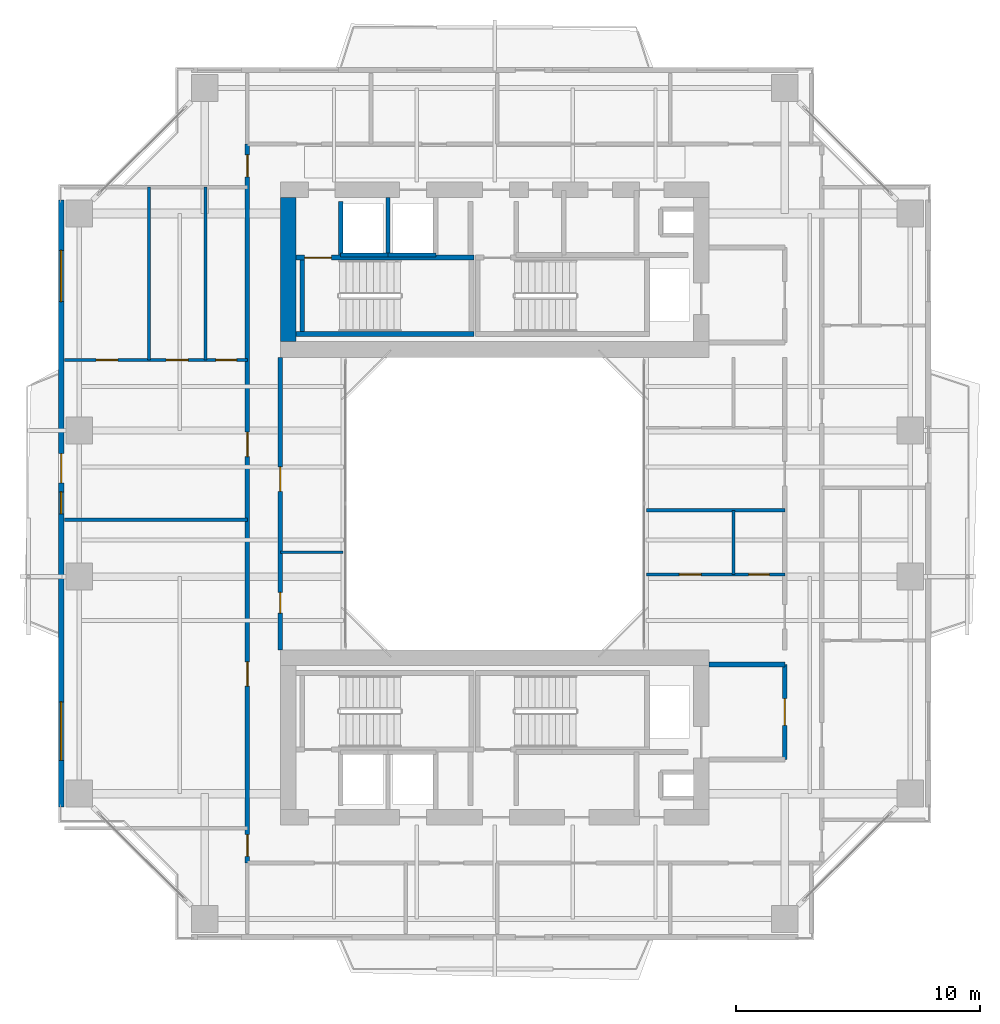
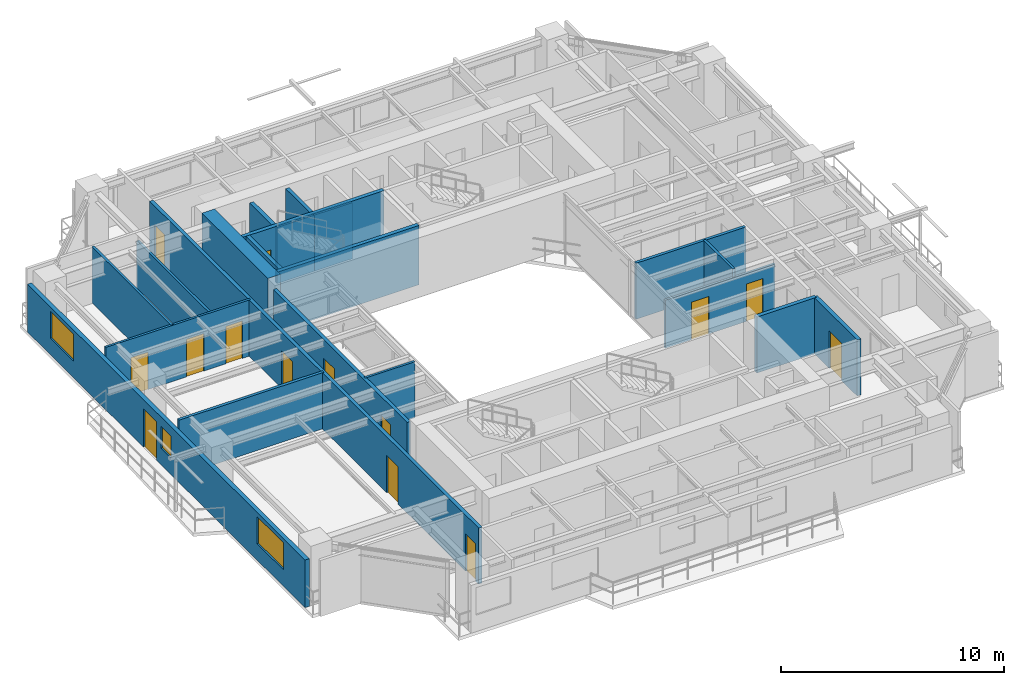
# One storey, part 11 of 17: 21 walls, 14 doors, 3 windows, 17 openings.
"""IFC4 building model written with IfcOpenShell, lengths in metres."""

from ifc_helpers import new_model, si_unit, direction, frame, frame_2d, origin, place, context, subcontext, project, spatial, rectangle, extrude, source, transform, mapped, material, layer, layer_set, type_object, element, fill, save


model = new_model("IFC4")

# Units and contexts
model_context = context("Model", 3, precision=1e-05, world=origin(), true_north=direction((0.0, 1.0)))
body_context = subcontext(model_context, "Body", "Model", "MODEL_VIEW")
ifc_project = project(units=[si_unit("LENGTHUNIT", "METRE"), si_unit("AREAUNIT", "SQUARE_METRE"), si_unit("VOLUMEUNIT", "CUBIC_METRE"), si_unit("PLANEANGLEUNIT", "RADIAN"), si_unit("MASSUNIT", "GRAM", prefix="KILO"), si_unit("THERMODYNAMICTEMPERATUREUNIT", "KELVIN"), si_unit("POWERUNIT", "WATT")], contexts=[model_context])

# Site, building, storey
site_placement = place(None, origin())
site = spatial("IfcSite", under=ifc_project, at=site_placement, CompositionType="ELEMENT")
building_placement = place(site_placement, origin())
building = spatial("IfcBuilding", under=site, at=building_placement, Name="Qiaomeng Ring Towers", CompositionType="ELEMENT")
storey_placement = place(building_placement, frame((0.0, 0.0, 116.5)))
storey = spatial("IfcBuildingStorey", under=building, at=storey_placement, Name="L33", CompositionType="ELEMENT", Elevation=116.5)

# Wall, openings, windows, door
ifc_material_1 = material(Name="Precast concrete C40", Category="concrete")
ifc_layer_1 = layer(ifc_material_1, 0.219970703125, Name="Precast concrete C40")
ifc_layer_set_1 = layer_set([ifc_layer_1], Name="Precast concrete C40")
wall_type_1 = type_object("IfcWallType", Name="ARC-WL-EW2", PredefinedType="STANDARD", material=ifc_layer_set_1)
wall_1_placement = place(storey_placement, frame((1.2099609375, 10.550048828125, 0.0), z_axis=(0.0, 0.0, 1.0), x_axis=(0.0, 1.0, 0.0)))
wall_1 = element("IfcWall", 1, at=wall_1_placement, inside=storey, type_object=wall_type_1, Name="L33 Tower 1 W Exterior Wall", PredefinedType="STANDARD", context=body_context, shape_type="SweptSolid", body=[
    extrude(rectangle(XDim=24.89990234375, YDim=0.219970703125, at=frame_2d((12.449951171875, 0.0))), origin(), (0.0, 0.0, 1.0), 2.610107421875),
])
opening_1_placement = place(wall_1_placement, frame((13.300048828125, 0.0, 0.0)))
opening_1 = element("IfcOpeningElement", 2, at=opening_1_placement, cuts=wall_1, Name="Opening BD1", PredefinedType="OPENING", context=body_context, shape_type="SweptSolid", body=[
    extrude(rectangle(XDim=1.199951171875, YDim=2.10009765625, at=frame_2d((0.60009765625, 1.050048828125))), frame((0.0, 0.119873046875, 0.0), z_axis=(0.0, -1.0, 0.0), x_axis=(1.0, 0.0, 0.0)), (0.0, 0.0, 1.0), 0.239990234375),
])
opening_2_placement = place(wall_1_placement, frame((1.912109375, 0.0, 0.89990234375)))
opening_2 = element("IfcOpeningElement", 3, at=opening_2_placement, cuts=wall_1, Name="Opening WN6", PredefinedType="OPENING", context=body_context, shape_type="SweptSolid", body=[
    extrude(rectangle(XDim=2.39990234375, YDim=1.47998046875, at=frame_2d((1.199951171875, 0.739990234375))), frame((0.0, 0.119873046875, 0.0), z_axis=(0.0, -1.0, 0.0), x_axis=(1.0, 0.0, 0.0)), (0.0, 0.0, 1.0), 0.239990234375),
])
opening_3_placement = place(wall_1_placement, frame((20.737060546875, 0.0, 0.89990234375)))
opening_3 = element("IfcOpeningElement", 4, at=opening_3_placement, cuts=wall_1, Name="Opening WN4", PredefinedType="OPENING", context=body_context, shape_type="SweptSolid", body=[
    extrude(rectangle(XDim=2.10009765625, YDim=1.47998046875, at=frame_2d((1.050048828125, 0.739990234375))), frame((0.0, 0.119873046875, 0.0), z_axis=(0.0, -1.0, 0.0), x_axis=(1.0, 0.0, 0.0)), (0.0, 0.0, 1.0), 0.239990234375),
])
opening_4_placement = place(wall_1_placement, frame((12.02490234375, 0.0, 0.89990234375)))
opening_4 = element("IfcOpeningElement", 5, at=opening_4_placement, cuts=wall_1, Name="Opening WN5", PredefinedType="OPENING", context=body_context, shape_type="SweptSolid", body=[
    extrude(rectangle(XDim=0.89990234375, YDim=1.199951171875, at=frame_2d((0.449951171875, 0.60009765625))), frame((0.0, 0.119873046875, 0.0), z_axis=(0.0, -1.0, 0.0), x_axis=(1.0, 0.0, 0.0)), (0.0, 0.0, 1.0), 0.239990234375),
])
ifc_material_2 = material(Name="Low-E dark-grey laminated double glazing", Category="glass")
window_type_1 = type_object("IfcWindowType", Name="ARC-WN-4", PartitioningType="TRIPLE_PANEL_VERTICAL", PredefinedType="WINDOW", material=ifc_material_2)
shared_shape_1 = source(origin(), body_context, "Body", "SweptSolid", [
    extrude(rectangle(XDim=2.10009765625, YDim=1.47998046875, at=frame_2d((1.050048828125, 0.739990234375))), frame((0.0, 0.030029296875, 0.0), z_axis=(0.0, -1.0, 0.0), x_axis=(1.0, 0.0, 0.0)), (0.0, 0.0, 1.0), 0.06005859375),
])
window_1_placement = place(opening_3_placement, origin())
window_1 = element("IfcWindow", 6, at=window_1_placement, inside=storey, type_object=window_type_1, Name="L33 Exterior Window WN4", OverallHeight=1.47998046875, OverallWidth=2.10009765625, PartitioningType="TRIPLE_PANEL_VERTICAL", PredefinedType="WINDOW", context=body_context, shape_type="MappedRepresentation", body=[
    mapped(shared_shape_1, transform((0.0, 0.0, 0.0), x_axis=(1.0, 0.0, 0.0), y_axis=(0.0, 1.0, 0.0), z_axis=(0.0, 0.0, 1.0), scale=1.0)),
])
fill(opening_3, window_1)
window_type_2 = type_object("IfcWindowType", Name="ARC-WN-6", PartitioningType="TRIPLE_PANEL_VERTICAL", PredefinedType="WINDOW", material=ifc_material_2)
shared_shape_2 = source(origin(), body_context, "Body", "SweptSolid", [
    extrude(rectangle(XDim=2.39990234375, YDim=1.47998046875, at=frame_2d((1.199951171875, 0.739990234375))), frame((0.0, 0.030029296875, 0.0), z_axis=(0.0, -1.0, 0.0), x_axis=(1.0, 0.0, 0.0)), (0.0, 0.0, 1.0), 0.06005859375),
])
window_2_placement = place(opening_2_placement, origin())
window_2 = element("IfcWindow", 7, at=window_2_placement, inside=storey, type_object=window_type_2, Name="L33 Exterior Window WN6", OverallHeight=1.47998046875, OverallWidth=2.39990234375, PartitioningType="TRIPLE_PANEL_VERTICAL", PredefinedType="WINDOW", context=body_context, shape_type="MappedRepresentation", body=[
    mapped(shared_shape_2, transform((0.0, 0.0, 0.0), x_axis=(1.0, 0.0, 0.0), y_axis=(0.0, 1.0, 0.0), z_axis=(0.0, 0.0, 1.0), scale=1.0)),
])
fill(opening_2, window_2)
door_type_1 = type_object("IfcDoorType", Name="ARC-DR-BD1", OperationType="NOTDEFINED", PredefinedType="DOOR", material=ifc_material_2)
shared_shape_3 = source(origin(), body_context, "Body", "SweptSolid", [
    extrude(rectangle(XDim=1.199951171875, YDim=2.10009765625, at=frame_2d((0.60009765625, 1.050048828125))), frame((0.0, 0.02490234375, 0.0), z_axis=(0.0, -1.0, 0.0), x_axis=(1.0, 0.0, 0.0)), (0.0, 0.0, 1.0), 0.050048828125),
])
door_1_placement = place(opening_1_placement, frame((1.199951171875, 0.0, 0.0), z_axis=(0.0, 0.0, 1.0), x_axis=(-1.0, 0.0, 0.0)))
door_1 = element("IfcDoor", 8, at=door_1_placement, inside=storey, type_object=door_type_1, Name="L33 W Balcony Glazed Door", OperationType="SINGLE_SWING_LEFT", OverallHeight=2.10009765625, OverallWidth=1.199951171875, PredefinedType="DOOR", context=body_context, shape_type="MappedRepresentation", body=[
    mapped(shared_shape_3, transform((0.0, 0.0, 0.0), x_axis=(1.0, 0.0, 0.0), y_axis=(0.0, 1.0, 0.0), z_axis=(0.0, 0.0, 1.0), scale=1.0)),
])
fill(opening_1, door_1)
window_type_3 = type_object("IfcWindowType", Name="ARC-WN-5", PartitioningType="SINGLE_PANEL", PredefinedType="WINDOW", material=ifc_material_2)
shared_shape_4 = source(origin(), body_context, "Body", "SweptSolid", [
    extrude(rectangle(XDim=0.89990234375, YDim=1.199951171875, at=frame_2d((0.449951171875, 0.60009765625))), frame((0.0, 0.030029296875, 0.0), z_axis=(0.0, -1.0, 0.0), x_axis=(1.0, 0.0, 0.0)), (0.0, 0.0, 1.0), 0.06005859375),
])
window_3_placement = place(opening_4_placement, origin())
window_3 = element("IfcWindow", 9, at=window_3_placement, inside=storey, type_object=window_type_3, Name="L33 Exterior Window WN5", OverallHeight=1.199951171875, OverallWidth=0.89990234375, PartitioningType="SINGLE_PANEL", PredefinedType="WINDOW", context=body_context, shape_type="MappedRepresentation", body=[
    mapped(shared_shape_4, transform((0.0, 0.0, 0.0), x_axis=(1.0, 0.0, 0.0), y_axis=(0.0, 1.0, 0.0), z_axis=(0.0, 0.0, 1.0), scale=1.0)),
])
fill(opening_4, window_3)

# Wall
ifc_material_3 = material(Name="Autoclaved aerated concrete block", Category="concrete")
ifc_layer_2 = layer(ifc_material_3, 0.199951171875, Name="Autoclaved aerated concrete block")
ifc_layer_set_2 = layer_set([ifc_layer_2], Name="Autoclaved aerated concrete block")
wall_type_2 = type_object("IfcWallType", Name="ARC-WL-PW1", PredefinedType="PARTITIONING", material=ifc_layer_set_2)
wall_2_placement = place(storey_placement, frame((27.800048828125, 16.39990234375, 0.0), z_axis=(0.0, 0.0, 1.0), x_axis=(1.0, 0.0, 0.0)))
element("IfcWall", 10, at=wall_2_placement, inside=storey, type_object=wall_type_2, Name="L33 Interior Wall PW1", PredefinedType="PARTITIONING", context=body_context, shape_type="SweptSolid", body=[
    extrude(rectangle(XDim=3.099853515625, YDim=0.199951171875, at=frame_2d((1.5498046875, 0.0))), origin(), (0.0, 0.0, 1.0), 3.070068359375),
])

# Wall, opening, door
wall_3_placement = place(storey_placement, frame((30.89990234375, 12.5, 0.0), z_axis=(0.0, 0.0, 1.0), x_axis=(0.0, 1.0, 0.0)))
wall_3 = element("IfcWall", 11, at=wall_3_placement, inside=storey, type_object=wall_type_2, Name="L33 Interior Wall PW1", PredefinedType="PARTITIONING", context=body_context, shape_type="SweptSolid", body=[
    extrude(rectangle(XDim=3.89990234375, YDim=0.199951171875, at=frame_2d((1.949951171875, 0.0))), origin(), (0.0, 0.0, 1.0), 3.070068359375),
])
opening_5_placement = place(wall_3_placement, frame((1.39990234375, 0.0, 0.0)))
opening_5 = element("IfcOpeningElement", 12, at=opening_5_placement, cuts=wall_3, Name="Opening FD3", PredefinedType="OPENING", context=body_context, shape_type="SweptSolid", body=[
    extrude(rectangle(XDim=1.10009765625, YDim=2.050048828125, at=frame_2d((0.550048828125, 1.02490234375))), frame((0.0, 0.10986328125, 0.0), z_axis=(0.0, -1.0, 0.0), x_axis=(1.0, 0.0, 0.0)), (0.0, 0.0, 1.0), 0.219970703125),
])
ifc_material_4 = material(Name="Galvanised steel", Category="steel")
door_type_2 = type_object("IfcDoorType", Name="ARC-DR-FD3", OperationType="NOTDEFINED", PredefinedType="DOOR", material=ifc_material_4)
shared_shape_5 = source(origin(), body_context, "Body", "SweptSolid", [
    extrude(rectangle(XDim=1.10009765625, YDim=2.050048828125, at=frame_2d((0.550048828125, 1.02490234375))), frame((0.0, 0.02490234375, 0.0), z_axis=(0.0, -1.0, 0.0), x_axis=(1.0, 0.0, 0.0)), (0.0, 0.0, 1.0), 0.050048828125),
])
door_2_placement = place(opening_5_placement, origin())
door_2 = element("IfcDoor", 13, at=door_2_placement, inside=storey, type_object=door_type_2, Name="L33 South FF Lobby Door", OperationType="SINGLE_SWING_RIGHT", OverallHeight=2.050048828125, OverallWidth=1.10009765625, PredefinedType="DOOR", context=body_context, shape_type="MappedRepresentation", body=[
    mapped(shared_shape_5, transform((0.0, 0.0, 0.0), x_axis=(1.0, 0.0, 0.0), y_axis=(0.0, 1.0, 0.0), z_axis=(0.0, 0.0, 1.0), scale=1.0)),
])
fill(opening_5, door_2)

# Wall
wall_4_placement = place(storey_placement, frame((12.679931640625, 33.18994140625, 0.0), z_axis=(0.0, 0.0, 1.0), x_axis=(0.0, 1.0, 0.0)))
element("IfcWall", 14, at=wall_4_placement, inside=storey, type_object=wall_type_2, Name="L33 Interior Wall PW1", PredefinedType="PARTITIONING", context=body_context, shape_type="SweptSolid", body=[
    extrude(rectangle(XDim=2.2099609375, YDim=0.199951171875, at=frame_2d((1.10498046875, 0.0))), origin(), (0.0, 0.0, 1.0), 3.070068359375),
])

# Wall, openings, doors
ifc_layer_3 = layer(ifc_material_3, 0.179931640625, Name="Autoclaved aerated concrete block")
ifc_layer_set_3 = layer_set([ifc_layer_3], Name="Autoclaved aerated concrete block")
wall_type_3 = type_object("IfcWallType", Name="ARC-WL-PW2", PredefinedType="PARTITIONING", material=ifc_layer_set_3)
wall_5_placement = place(storey_placement, frame((8.85009765625, 8.25, 0.0), z_axis=(0.0, 0.0, 1.0), x_axis=(0.0, 1.0, 0.0)))
wall_5 = element("IfcWall", 15, at=wall_5_placement, inside=storey, type_object=wall_type_3, Name="L33 Interior Wall PW2", PredefinedType="PARTITIONING", context=body_context, shape_type="SweptSolid", body=[
    extrude(rectangle(XDim=29.5, YDim=0.179931640625, at=frame_2d((14.75, 0.0))), origin(), (0.0, 0.0, 1.0), 3.070068359375),
])
opening_6_placement = place(wall_5_placement, frame((28.155029296875, 0.0, 0.0)))
opening_6 = element("IfcOpeningElement", 16, at=opening_6_placement, cuts=wall_5, Name="Opening ID1", PredefinedType="OPENING", context=body_context, shape_type="SweptSolid", body=[
    extrude(rectangle(XDim=0.89990234375, YDim=2.050048828125, at=frame_2d((0.449951171875, 1.02490234375))), frame((0.0, 0.099853515625, 0.0), z_axis=(0.0, -1.0, 0.0), x_axis=(1.0, 0.0, 0.0)), (0.0, 0.0, 1.0), 0.199951171875),
])
opening_7_placement = place(wall_5_placement, frame((0.27001953125, 0.0, 0.0)))
opening_7 = element("IfcOpeningElement", 17, at=opening_7_placement, cuts=wall_5, Name="Opening ID1", PredefinedType="OPENING", context=body_context, shape_type="SweptSolid", body=[
    extrude(rectangle(XDim=0.89990234375, YDim=2.050048828125, at=frame_2d((0.449951171875, 1.02490234375))), frame((0.0, 0.099853515625, 0.0), z_axis=(0.0, -1.0, 0.0), x_axis=(1.0, 0.0, 0.0)), (0.0, 0.0, 1.0), 0.199951171875),
])
opening_8_placement = place(wall_5_placement, frame((7.2548828125, 0.0, 0.0)))
opening_8 = element("IfcOpeningElement", 18, at=opening_8_placement, cuts=wall_5, Name="Opening FD4", PredefinedType="OPENING", context=body_context, shape_type="SweptSolid", body=[
    extrude(rectangle(XDim=1.0, YDim=2.050048828125, at=frame_2d((0.5, 1.02490234375))), frame((0.0, 0.099853515625, 0.0), z_axis=(0.0, -1.0, 0.0), x_axis=(1.0, 0.0, 0.0)), (0.0, 0.0, 1.0), 0.199951171875),
])
opening_9_placement = place(wall_5_placement, frame((16.675048828125, 0.0, 0.0)))
opening_9 = element("IfcOpeningElement", 19, at=opening_9_placement, cuts=wall_5, Name="Opening FD4", PredefinedType="OPENING", context=body_context, shape_type="SweptSolid", body=[
    extrude(rectangle(XDim=1.0, YDim=2.050048828125, at=frame_2d((0.5, 1.02490234375))), frame((0.0, 0.099853515625, 0.0), z_axis=(0.0, -1.0, 0.0), x_axis=(1.0, 0.0, 0.0)), (0.0, 0.0, 1.0), 0.199951171875),
])
ifc_material_5 = material(Name="Engineered fire-rated oak timber", Category="wood")
door_type_3 = type_object("IfcDoorType", Name="ARC-DR-FD4", OperationType="NOTDEFINED", PredefinedType="DOOR", material=ifc_material_5)
shared_shape_6 = source(origin(), body_context, "Body", "SweptSolid", [
    extrude(rectangle(XDim=1.0, YDim=2.050048828125, at=frame_2d((0.5, 1.02490234375))), frame((0.0, 0.02490234375, 0.0), z_axis=(0.0, -1.0, 0.0), x_axis=(1.0, 0.0, 0.0)), (0.0, 0.0, 1.0), 0.050048828125),
])
door_3_placement = place(opening_8_placement, origin())
door_3 = element("IfcDoor", 20, at=door_3_placement, inside=storey, type_object=door_type_3, Name="L33 Door FD4", OperationType="SINGLE_SWING_RIGHT", OverallHeight=2.050048828125, OverallWidth=1.0, PredefinedType="DOOR", context=body_context, shape_type="MappedRepresentation", body=[
    mapped(shared_shape_6, transform((0.0, 0.0, 0.0), x_axis=(1.0, 0.0, 0.0), y_axis=(0.0, 1.0, 0.0), z_axis=(0.0, 0.0, 1.0), scale=1.0)),
])
fill(opening_8, door_3)
door_4_placement = place(opening_9_placement, origin())
door_4 = element("IfcDoor", 21, at=door_4_placement, inside=storey, type_object=door_type_3, Name="L33 Door FD4", OperationType="SINGLE_SWING_RIGHT", OverallHeight=2.050048828125, OverallWidth=1.0, PredefinedType="DOOR", context=body_context, shape_type="MappedRepresentation", body=[
    mapped(shared_shape_6, transform((0.0, 0.0, 0.0), x_axis=(1.0, 0.0, 0.0), y_axis=(0.0, 1.0, 0.0), z_axis=(0.0, 0.0, 1.0), scale=1.0)),
])
fill(opening_9, door_4)
ifc_material_6 = material(Name="Engineered oak timber", Category="wood")
door_type_4 = type_object("IfcDoorType", Name="ARC-DR-ID1", OperationType="NOTDEFINED", PredefinedType="DOOR", material=ifc_material_6)
shared_shape_7 = source(origin(), body_context, "Body", "SweptSolid", [
    extrude(rectangle(XDim=0.89990234375, YDim=2.050048828125, at=frame_2d((0.449951171875, 1.02490234375))), frame((0.0, 0.02490234375, 0.0), z_axis=(0.0, -1.0, 0.0), x_axis=(1.0, 0.0, 0.0)), (0.0, 0.0, 1.0), 0.050048828125),
])
door_5_placement = place(opening_6_placement, origin())
door_5 = element("IfcDoor", 22, at=door_5_placement, inside=storey, type_object=door_type_4, Name="L33 Door ID1", OperationType="SINGLE_SWING_RIGHT", OverallHeight=2.050048828125, OverallWidth=0.89990234375, PredefinedType="DOOR", context=body_context, shape_type="MappedRepresentation", body=[
    mapped(shared_shape_7, transform((0.0, 0.0, 0.0), x_axis=(1.0, 0.0, 0.0), y_axis=(0.0, 1.0, 0.0), z_axis=(0.0, 0.0, 1.0), scale=1.0)),
])
fill(opening_6, door_5)
door_6_placement = place(opening_7_placement, origin())
door_6 = element("IfcDoor", 23, at=door_6_placement, inside=storey, type_object=door_type_4, Name="L33 Door ID1", OperationType="SINGLE_SWING_LEFT", OverallHeight=2.050048828125, OverallWidth=0.89990234375, PredefinedType="DOOR", context=body_context, shape_type="MappedRepresentation", body=[
    mapped(shared_shape_7, transform((0.0, 0.0, 0.0), x_axis=(1.0, 0.0, 0.0), y_axis=(0.0, 1.0, 0.0), z_axis=(0.0, 0.0, 1.0), scale=1.0)),
])
fill(opening_7, door_6)

wall_6_placement = place(storey_placement, frame((10.199951171875, 17.0, 0.0), z_axis=(0.0, 0.0, 1.0), x_axis=(0.0, 1.0, 0.0)))
wall_6 = element("IfcWall", 24, at=wall_6_placement, inside=storey, type_object=wall_type_3, Name="L33 Interior Wall PW2", PredefinedType="PARTITIONING", context=body_context, shape_type="SweptSolid", body=[
    extrude(rectangle(XDim=12.0, YDim=0.179931640625, at=frame_2d((6.0, 0.0))), origin(), (0.0, 0.0, 1.0), 3.070068359375),
])
opening_10_placement = place(wall_6_placement, frame((1.5, 0.0, 0.0)))
opening_10 = element("IfcOpeningElement", 25, at=opening_10_placement, cuts=wall_6, Name="Opening ID2", PredefinedType="OPENING", context=body_context, shape_type="SweptSolid", body=[
    extrude(rectangle(XDim=0.85009765625, YDim=2.050048828125, at=frame_2d((0.425048828125, 1.02490234375))), frame((0.0, 0.099853515625, 0.0), z_axis=(0.0, -1.0, 0.0), x_axis=(1.0, 0.0, 0.0)), (0.0, 0.0, 1.0), 0.199951171875),
])
opening_11_placement = place(wall_6_placement, frame((6.5, 0.0, 0.0)))
opening_11 = element("IfcOpeningElement", 26, at=opening_11_placement, cuts=wall_6, Name="Opening FD4", PredefinedType="OPENING", context=body_context, shape_type="SweptSolid", body=[
    extrude(rectangle(XDim=1.0, YDim=2.050048828125, at=frame_2d((0.5, 1.02490234375))), frame((0.0, 0.099853515625, 0.0), z_axis=(0.0, -1.0, 0.0), x_axis=(1.0, 0.0, 0.0)), (0.0, 0.0, 1.0), 0.199951171875),
])
door_7_placement = place(opening_11_placement, origin())
door_7 = element("IfcDoor", 27, at=door_7_placement, inside=storey, type_object=door_type_3, Name="L33 Door FD4", OperationType="SINGLE_SWING_RIGHT", OverallHeight=2.050048828125, OverallWidth=1.0, PredefinedType="DOOR", context=body_context, shape_type="MappedRepresentation", body=[
    mapped(shared_shape_6, transform((0.0, 0.0, 0.0), x_axis=(1.0, 0.0, 0.0), y_axis=(0.0, 1.0, 0.0), z_axis=(0.0, 0.0, 1.0), scale=1.0)),
])
fill(opening_11, door_7)
ifc_material_7 = material(Name="Moisture-resistant engineered timber", Category="wood")
door_type_5 = type_object("IfcDoorType", Name="ARC-DR-ID2", OperationType="NOTDEFINED", PredefinedType="DOOR", material=ifc_material_7)
shared_shape_8 = source(origin(), body_context, "Body", "SweptSolid", [
    extrude(rectangle(XDim=0.85009765625, YDim=2.050048828125, at=frame_2d((0.425048828125, 1.02490234375))), frame((0.0, 0.02490234375, 0.0), z_axis=(0.0, -1.0, 0.0), x_axis=(1.0, 0.0, 0.0)), (0.0, 0.0, 1.0), 0.050048828125),
])
door_8_placement = place(opening_10_placement, origin())
door_8 = element("IfcDoor", 28, at=door_8_placement, inside=storey, type_object=door_type_5, Name="L33 Door ID2", OperationType="SINGLE_SWING_LEFT", OverallHeight=2.050048828125, OverallWidth=0.85009765625, PredefinedType="DOOR", context=body_context, shape_type="MappedRepresentation", body=[
    mapped(shared_shape_8, transform((0.0, 0.0, 0.0), x_axis=(1.0, 0.0, 0.0), y_axis=(0.0, 1.0, 0.0), z_axis=(0.0, 0.0, 1.0), scale=1.0)),
])
fill(opening_10, door_8)

# Walls
ifc_material_8 = material(Name="Gypsum fireboard steel-stud partition", Category="steel")
ifc_layer_4 = layer(ifc_material_8, 0.14990234375, Name="Gypsum fireboard steel-stud partition")
ifc_layer_set_4 = layer_set([ifc_layer_4], Name="Gypsum fireboard steel-stud partition")
wall_type_4 = type_object("IfcWallType", Name="ARC-WL-PW3", PredefinedType="PARTITIONING", material=ifc_layer_set_4)
wall_7_placement = place(storey_placement, frame((1.35009765625, 22.340087890625, 0.0), z_axis=(0.0, 0.0, 1.0), x_axis=(1.0, 0.0, 0.0)))
element("IfcWall", 29, at=wall_7_placement, inside=storey, type_object=wall_type_4, Name="L33 Interior Wall PW3", PredefinedType="PARTITIONING", context=body_context, shape_type="SweptSolid", body=[
    extrude(rectangle(XDim=7.5, YDim=0.14990234375, at=frame_2d((3.75, 0.0))), origin(), (0.0, 0.0, 1.0), 3.070068359375),
])
wall_8_placement = place(storey_placement, frame((25.219970703125, 22.719970703125, 0.0), z_axis=(0.0, 0.0, 1.0), x_axis=(1.0, 0.0, 0.0)))
element("IfcWall", 30, at=wall_8_placement, inside=storey, type_object=wall_type_4, Name="L33 Interior Wall PW3", PredefinedType="PARTITIONING", context=body_context, shape_type="SweptSolid", body=[
    extrude(rectangle(XDim=5.679931640625, YDim=0.14990234375, at=frame_2d((2.83984375, 0.0))), origin(), (0.0, 0.0, 1.0), 3.070068359375),
])

# Wall, openings, doors
ifc_material_9 = material(Name="Moisture-resistant gypsum steel-stud partition", Category="steel")
ifc_layer_5 = layer(ifc_material_9, 0.1201171875, Name="Moisture-resistant gypsum steel-stud partition")
ifc_layer_set_5 = layer_set([ifc_layer_5], Name="Moisture-resistant gypsum steel-stud partition")
wall_type_5 = type_object("IfcWallType", Name="ARC-WL-PW4", PredefinedType="PLUMBINGWALL", material=ifc_layer_set_5)
wall_9_placement = place(storey_placement, frame((1.35009765625, 28.889892578125, 0.0), z_axis=(0.0, 0.0, 1.0), x_axis=(1.0, 0.0, 0.0)))
wall_9 = element("IfcWall", 31, at=wall_9_placement, inside=storey, type_object=wall_type_5, Name="L33 Interior Wall PW4", PredefinedType="PLUMBINGWALL", context=body_context, shape_type="SweptSolid", body=[
    extrude(rectangle(XDim=7.5, YDim=0.1201171875, at=frame_2d((3.75, 0.0))), origin(), (0.0, 0.0, 1.0), 3.070068359375),
])
opening_12_placement = place(wall_9_placement, frame((1.2900390625, 0.0, 0.0)))
opening_12 = element("IfcOpeningElement", 32, at=opening_12_placement, cuts=wall_9, Name="Opening ID1", PredefinedType="OPENING", context=body_context, shape_type="SweptSolid", body=[
    extrude(rectangle(XDim=0.89990234375, YDim=2.050048828125, at=frame_2d((0.449951171875, 1.02490234375))), frame((0.0, 0.070068359375, 0.0), z_axis=(0.0, -1.0, 0.0), x_axis=(1.0, 0.0, 0.0)), (0.0, 0.0, 1.0), 0.14013671875),
])
opening_13_placement = place(wall_9_placement, frame((4.169921875, 0.0, 0.0)))
opening_13 = element("IfcOpeningElement", 33, at=opening_13_placement, cuts=wall_9, Name="Opening ID1", PredefinedType="OPENING", context=body_context, shape_type="SweptSolid", body=[
    extrude(rectangle(XDim=0.89990234375, YDim=2.050048828125, at=frame_2d((0.449951171875, 1.02490234375))), frame((0.0, 0.070068359375, 0.0), z_axis=(0.0, -1.0, 0.0), x_axis=(1.0, 0.0, 0.0)), (0.0, 0.0, 1.0), 0.14013671875),
])
opening_14_placement = place(wall_9_placement, frame((6.205078125, 0.0, 0.0)))
opening_14 = element("IfcOpeningElement", 34, at=opening_14_placement, cuts=wall_9, Name="Opening ID2", PredefinedType="OPENING", context=body_context, shape_type="SweptSolid", body=[
    extrude(rectangle(XDim=0.85009765625, YDim=2.050048828125, at=frame_2d((0.425048828125, 1.02490234375))), frame((0.0, 0.070068359375, 0.0), z_axis=(0.0, -1.0, 0.0), x_axis=(1.0, 0.0, 0.0)), (0.0, 0.0, 1.0), 0.14013671875),
])
door_9_placement = place(opening_14_placement, origin())
door_9 = element("IfcDoor", 35, at=door_9_placement, inside=storey, type_object=door_type_5, Name="L33 Door ID2", OperationType="SINGLE_SWING_LEFT", OverallHeight=2.050048828125, OverallWidth=0.85009765625, PredefinedType="DOOR", context=body_context, shape_type="MappedRepresentation", body=[
    mapped(shared_shape_8, transform((0.0, 0.0, 0.0), x_axis=(1.0, 0.0, 0.0), y_axis=(0.0, 1.0, 0.0), z_axis=(0.0, 0.0, 1.0), scale=1.0)),
])
fill(opening_14, door_9)
door_10_placement = place(opening_12_placement, origin())
door_10 = element("IfcDoor", 36, at=door_10_placement, inside=storey, type_object=door_type_4, Name="L33 Door ID1", OperationType="SINGLE_SWING_LEFT", OverallHeight=2.050048828125, OverallWidth=0.89990234375, PredefinedType="DOOR", context=body_context, shape_type="MappedRepresentation", body=[
    mapped(shared_shape_7, transform((0.0, 0.0, 0.0), x_axis=(1.0, 0.0, 0.0), y_axis=(0.0, 1.0, 0.0), z_axis=(0.0, 0.0, 1.0), scale=1.0)),
])
fill(opening_12, door_10)
door_11_placement = place(opening_13_placement, origin())
door_11 = element("IfcDoor", 37, at=door_11_placement, inside=storey, type_object=door_type_4, Name="L33 Door ID1", OperationType="SINGLE_SWING_RIGHT", OverallHeight=2.050048828125, OverallWidth=0.89990234375, PredefinedType="DOOR", context=body_context, shape_type="MappedRepresentation", body=[
    mapped(shared_shape_7, transform((0.0, 0.0, 0.0), x_axis=(1.0, 0.0, 0.0), y_axis=(0.0, 1.0, 0.0), z_axis=(0.0, 0.0, 1.0), scale=1.0)),
])
fill(opening_13, door_11)

# Walls
wall_10_placement = place(storey_placement, frame((4.81005859375, 28.889892578125, 0.0), z_axis=(0.0, 0.0, 1.0), x_axis=(0.0, 1.0, 0.0)))
element("IfcWall", 38, at=wall_10_placement, inside=storey, type_object=wall_type_5, Name="L33 Interior Wall PW4", PredefinedType="PLUMBINGWALL", context=body_context, shape_type="SweptSolid", body=[
    extrude(rectangle(XDim=7.090087890625, YDim=0.1201171875, at=frame_2d((3.544921875, 0.0))), origin(), (0.0, 0.0, 1.0), 3.070068359375),
])
wall_11_placement = place(storey_placement, frame((7.1298828125, 28.889892578125, 0.0), z_axis=(0.0, 0.0, 1.0), x_axis=(0.0, 1.0, 0.0)))
element("IfcWall", 39, at=wall_11_placement, inside=storey, type_object=wall_type_5, Name="L33 Interior Wall PW4", PredefinedType="PLUMBINGWALL", context=body_context, shape_type="SweptSolid", body=[
    extrude(rectangle(XDim=7.090087890625, YDim=0.1201171875, at=frame_2d((3.544921875, 0.0))), origin(), (0.0, 0.0, 1.0), 2.576904296875),
])
wall_12_placement = place(storey_placement, frame((10.199951171875, 21.0, 0.0), z_axis=(0.0, 0.0, 1.0), x_axis=(1.0, 0.0, 0.0)))
element("IfcWall", 40, at=wall_12_placement, inside=storey, type_object=wall_type_5, Name="L33 Interior Wall PW4", PredefinedType="PLUMBINGWALL", context=body_context, shape_type="SweptSolid", body=[
    extrude(rectangle(XDim=2.580078125, YDim=0.1201171875, at=frame_2d((1.2900390625, 0.0))), origin(), (0.0, 0.0, 1.0), 3.070068359375),
])

# Wall, openings, doors
wall_13_placement = place(storey_placement, frame((25.219970703125, 20.090087890625, 0.0), z_axis=(0.0, 0.0, 1.0), x_axis=(1.0, 0.0, 0.0)))
wall_13 = element("IfcWall", 41, at=wall_13_placement, inside=storey, type_object=wall_type_5, Name="L33 Interior Wall PW4", PredefinedType="PLUMBINGWALL", context=body_context, shape_type="SweptSolid", body=[
    extrude(rectangle(XDim=5.679931640625, YDim=0.1201171875, at=frame_2d((2.83984375, 0.0))), origin(), (0.0, 0.0, 1.0), 2.625),
])
opening_15_placement = place(wall_13_placement, frame((1.35009765625, 0.0, 0.0)))
opening_15 = element("IfcOpeningElement", 42, at=opening_15_placement, cuts=wall_13, Name="Opening ID1", PredefinedType="OPENING", context=body_context, shape_type="SweptSolid", body=[
    extrude(rectangle(XDim=0.89990234375, YDim=2.050048828125, at=frame_2d((0.449951171875, 1.02490234375))), frame((0.0, 0.070068359375, 0.0), z_axis=(0.0, -1.0, 0.0), x_axis=(1.0, 0.0, 0.0)), (0.0, 0.0, 1.0), 0.14013671875),
])
opening_16_placement = place(wall_13_placement, frame((4.195068359375, 0.0, 0.0)))
opening_16 = element("IfcOpeningElement", 43, at=opening_16_placement, cuts=wall_13, Name="Opening ID2", PredefinedType="OPENING", context=body_context, shape_type="SweptSolid", body=[
    extrude(rectangle(XDim=0.85009765625, YDim=2.050048828125, at=frame_2d((0.425048828125, 1.02490234375))), frame((0.0, 0.070068359375, 0.0), z_axis=(0.0, -1.0, 0.0), x_axis=(1.0, 0.0, 0.0)), (0.0, 0.0, 1.0), 0.14013671875),
])
door_12_placement = place(opening_16_placement, origin())
door_12 = element("IfcDoor", 44, at=door_12_placement, inside=storey, type_object=door_type_5, Name="L33 Door ID2", OperationType="SINGLE_SWING_RIGHT", OverallHeight=2.050048828125, OverallWidth=0.85009765625, PredefinedType="DOOR", context=body_context, shape_type="MappedRepresentation", body=[
    mapped(shared_shape_8, transform((0.0, 0.0, 0.0), x_axis=(1.0, 0.0, 0.0), y_axis=(0.0, 1.0, 0.0), z_axis=(0.0, 0.0, 1.0), scale=1.0)),
])
fill(opening_16, door_12)
door_13_placement = place(opening_15_placement, origin())
door_13 = element("IfcDoor", 45, at=door_13_placement, inside=storey, type_object=door_type_4, Name="L33 Door ID1", OperationType="SINGLE_SWING_LEFT", OverallHeight=2.050048828125, OverallWidth=0.89990234375, PredefinedType="DOOR", context=body_context, shape_type="MappedRepresentation", body=[
    mapped(shared_shape_7, transform((0.0, 0.0, 0.0), x_axis=(1.0, 0.0, 0.0), y_axis=(0.0, 1.0, 0.0), z_axis=(0.0, 0.0, 1.0), scale=1.0)),
])
fill(opening_15, door_13)

# Walls
wall_14_placement = place(storey_placement, frame((28.800048828125, 20.090087890625, 0.0), z_axis=(0.0, 0.0, 1.0), x_axis=(0.0, 1.0, 0.0)))
element("IfcWall", 46, at=wall_14_placement, inside=storey, type_object=wall_type_5, Name="L33 Interior Wall PW4", PredefinedType="PLUMBINGWALL", context=body_context, shape_type="SweptSolid", body=[
    extrude(rectangle(XDim=2.6298828125, YDim=0.1201171875, at=frame_2d((1.31494140625, 0.0))), origin(), (0.0, 0.0, 1.0), 3.070068359375),
])
ifc_material_10 = material(Name="Concrete C40", Category="concrete")
ifc_layer_6 = layer(ifc_material_10, 0.199951171875, Name="Concrete C40")
ifc_layer_set_6 = layer_set([ifc_layer_6], Name="Concrete C40")
wall_type_6 = type_object("IfcWallType", Name="STR-WL-STSHAFT", PredefinedType="SHEAR", material=ifc_layer_set_6)
wall_15_placement = place(storey_placement, frame((12.679931640625, 33.199951171875, 0.0), z_axis=(0.0, 0.0, 1.0), x_axis=(1.0, 0.0, 0.0)))
element("IfcWall", 47, at=wall_15_placement, inside=storey, type_object=wall_type_6, Name="L33 Lift LP5 Shaft Back Wall", PredefinedType="SHEAR", context=body_context, shape_type="SweptSolid", body=[
    extrude(rectangle(XDim=1.940185546875, YDim=0.179931640625, at=frame_2d((0.97021484375, 0.0))), origin(), (0.0, 0.0, 1.0), 3.070068359375),
])
wall_16_placement = place(storey_placement, frame((14.6201171875, 33.199951171875, 0.0), z_axis=(0.0, 0.0, 1.0), x_axis=(0.0, 1.0, 0.0)))
element("IfcWall", 48, at=wall_16_placement, inside=storey, type_object=wall_type_6, Name="L33 Lift LP5-LP3 Shaft Divider Wall", PredefinedType="SHEAR", context=body_context, shape_type="SweptSolid", body=[
    extrude(rectangle(XDim=2.35009765625, YDim=0.179931640625, at=frame_2d((1.175048828125, 0.0))), origin(), (0.0, 0.0, 1.0), 3.070068359375),
])
wall_17_placement = place(storey_placement, frame((14.6201171875, 33.199951171875, 0.0), z_axis=(0.0, 0.0, 1.0), x_axis=(1.0, 0.0, 0.0)))
element("IfcWall", 49, at=wall_17_placement, inside=storey, type_object=wall_type_6, Name="L33 Lift LP3 Shaft Back Wall", PredefinedType="SHEAR", context=body_context, shape_type="SweptSolid", body=[
    extrude(rectangle(XDim=1.9599609375, YDim=0.179931640625, at=frame_2d((0.97998046875, 0.0))), origin(), (0.0, 0.0, 1.0), 3.070068359375),
])
wall_18_placement = place(storey_placement, frame((10.85009765625, 29.949951171875, 0.0), z_axis=(0.0, 0.0, 1.0), x_axis=(1.0, 0.0, 0.0)))
element("IfcWall", 50, at=wall_18_placement, inside=storey, type_object=wall_type_6, Name="L33 Stair ST1 South Shaft Shear Wall", PredefinedType="SHEAR", context=body_context, shape_type="SweptSolid", body=[
    extrude(rectangle(XDim=7.2998046875, YDim=0.199951171875, at=frame_2d((3.64990234375, 0.0))), origin(), (0.0, 0.0, 1.0), 3.25),
])

# Wall, opening, door
wall_19_placement = place(storey_placement, frame((10.85009765625, 33.090087890625, 0.0), z_axis=(0.0, 0.0, 1.0), x_axis=(1.0, 0.0, 0.0)))
wall_19 = element("IfcWall", 51, at=wall_19_placement, inside=storey, type_object=wall_type_6, Name="L33 Stair ST1 North Shaft Shear Wall", PredefinedType="SHEAR", context=body_context, shape_type="SweptSolid", body=[
    extrude(rectangle(XDim=7.2998046875, YDim=0.199951171875, at=frame_2d((3.64990234375, 0.0))), origin(), (0.0, 0.0, 1.0), 3.25),
])
opening_17_placement = place(wall_19_placement, frame((0.35009765625, 0.0, 0.0)))
opening_17 = element("IfcOpeningElement", 52, at=opening_17_placement, cuts=wall_19, Name="Opening FD3", PredefinedType="OPENING", context=body_context, shape_type="SweptSolid", body=[
    extrude(rectangle(XDim=1.10009765625, YDim=2.050048828125, at=frame_2d((0.550048828125, 1.02490234375))), frame((0.0, 0.10986328125, 0.0), z_axis=(0.0, -1.0, 0.0), x_axis=(1.0, 0.0, 0.0)), (0.0, 0.0, 1.0), 0.219970703125),
])
door_14_placement = place(opening_17_placement, origin())
door_14 = element("IfcDoor", 53, at=door_14_placement, inside=storey, type_object=door_type_2, Name="L33 Stair ST1 Exit Door", OperationType="SINGLE_SWING_RIGHT", OverallHeight=2.050048828125, OverallWidth=1.10009765625, PredefinedType="DOOR", context=body_context, shape_type="MappedRepresentation", body=[
    mapped(shared_shape_5, transform((0.0, 0.0, 0.0), x_axis=(1.0, 0.0, 0.0), y_axis=(0.0, 1.0, 0.0), z_axis=(0.0, 0.0, 1.0), scale=1.0)),
])
fill(opening_17, door_14)

# Walls
wall_20_placement = place(storey_placement, frame((11.10009765625, 30.050048828125, 0.0), z_axis=(0.0, 0.0, 1.0), x_axis=(0.0, 1.0, 0.0)))
element("IfcWall", 54, at=wall_20_placement, inside=storey, type_object=wall_type_6, Name="L33 Stair ST1 West Shaft Shear Wall", PredefinedType="SHEAR", context=body_context, shape_type="SweptSolid", body=[
    extrude(rectangle(XDim=2.93994140625, YDim=0.199951171875, at=frame_2d((1.469970703125, 0.0))), origin(), (0.0, 0.0, 1.0), 3.25),
])
ifc_material_11 = material(Name="Concrete C55", Category="concrete")
ifc_layer_7 = layer(ifc_material_11, 0.64990234375, Name="Concrete C55")
ifc_layer_set_7 = layer_set([ifc_layer_7], Name="Concrete C55")
wall_type_7 = type_object("IfcWallType", Name="STR-WL-SW2A", PredefinedType="SHEAR", material=ifc_layer_set_7)
wall_21_placement = place(storey_placement, frame((10.52490234375, 29.64990234375, 0.0), z_axis=(0.0, 0.0, 1.0), x_axis=(0.0, 1.0, 0.0)))
element("IfcWall", 55, at=wall_21_placement, inside=storey, type_object=wall_type_7, Name="L33 T1NC west core shear wall", PredefinedType="SHEAR", context=body_context, shape_type="SweptSolid", body=[
    extrude(rectangle(XDim=5.900146484375, YDim=0.64990234375, at=frame_2d((2.9501953125, 0.0))), origin(), (0.0, 0.0, 1.0), 3.25),
])

save(model, "model.ifc")
